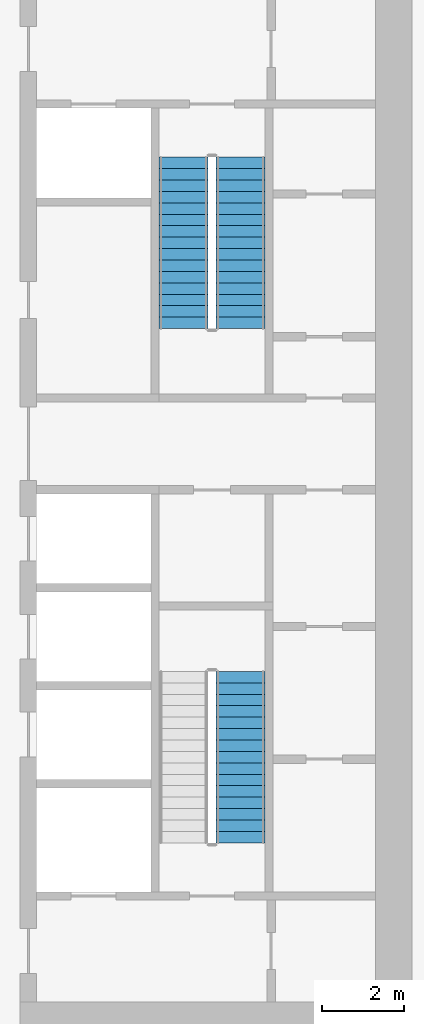
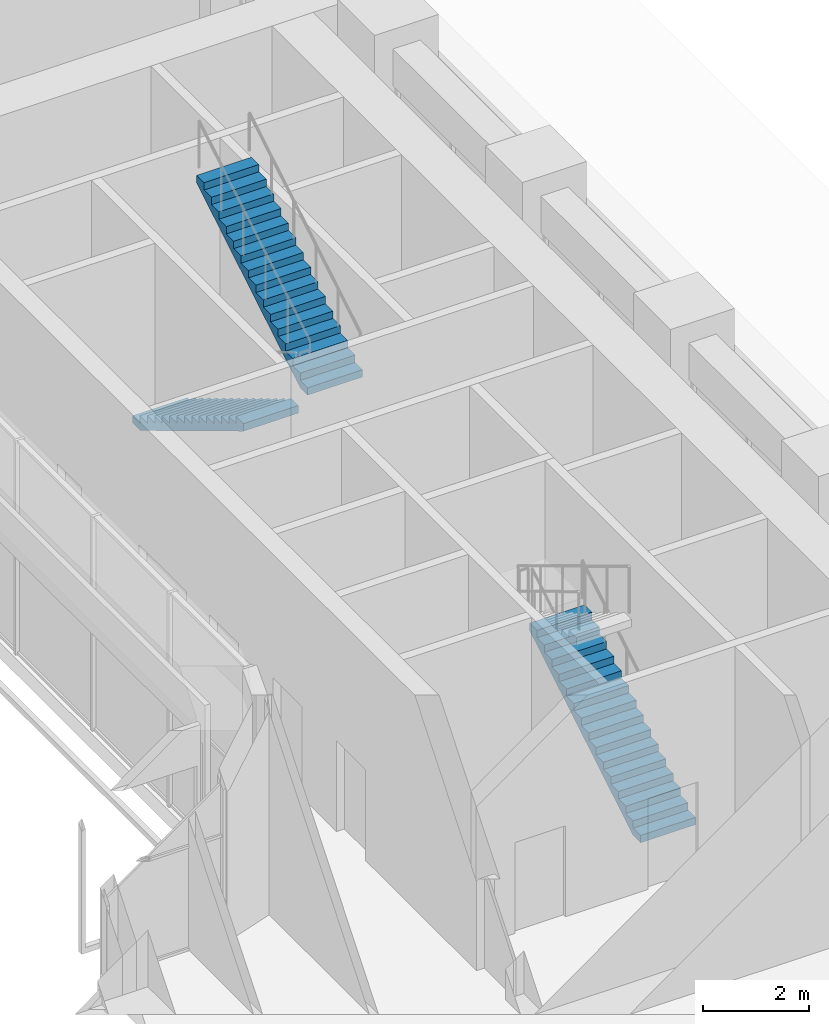
# One storey, part 18 of 27: 3 stair flights, 2 elements without a shape of their own.
"""IFC4 building model written with IfcOpenShell, lengths in metres."""

import ifcopenshell
import ifcopenshell.guid

model = None  # the IFC model being written
_history = None  # IfcOwnerHistory: only IFC2X3 demands one
_inside = {}  # id of a spatial element -> (the spatial element, [elements in it])
_under = {}  # id of a project, library or spatial element -> (it, [spatial elements below it])
_declared = {}  # id of a project -> (the project, [libraries it declares])
_typed = {}  # id of a type object -> (the type object, [elements of that type])
_made_of = {}  # id of a material, layer set ... -> (it, [elements and type objects made of it])


def new_model(schema):
    """Start an empty IFC model of exactly this schema.

    Asked for "IFC4X3", IfcOpenShell would pick the latest addendum, in which some entities
    have other attributes; the version numbers below select the first issue.
    IFC2X3 requires an IfcOwnerHistory on every rooted entity: one is made here for all.
    """
    global model, _history
    if schema == "IFC4X3":
        model = ifcopenshell.file(schema_version=(4, 3, 0, 0))
    else:
        model = ifcopenshell.file(schema=schema)
    _inside.clear()
    _under.clear()
    _declared.clear()
    _typed.clear()
    _made_of.clear()
    _history = None
    if model.schema == "IFC2X3":
        org = make("IfcOrganization", Name="unknown")
        user = make(
            "IfcPersonAndOrganization",
            ThePerson=make("IfcPerson", FamilyName="unknown"),
            TheOrganization=org,
        )
        app = make(
            "IfcApplication",
            ApplicationDeveloper=org,
            Version="unknown",
            ApplicationFullName="unknown",
            ApplicationIdentifier="unknown",
        )
        _history = make(
            "IfcOwnerHistory",
            OwningUser=user,
            OwningApplication=app,
            ChangeAction="ADDED",
            CreationDate=0,
        )
    return model


def make(cls, **values):
    """One entity of the class cls with the attributes given. An attribute that is None is left unset."""
    return model.create_entity(
        cls, **{name: value for name, value in values.items() if value is not None}
    )


def rooted(cls, **values):
    """An entity with a GlobalId (a new one), such as an element, a storey or a relation."""
    return make(cls, GlobalId=ifcopenshell.guid.new(), OwnerHistory=_history, **values)


def si_unit(unit_type, name, prefix=None):
    """IfcSIUnit, for example si_unit("LENGTHUNIT", "METRE", prefix="MILLI")."""
    return make("IfcSIUnit", UnitType=unit_type, Prefix=prefix, Name=name)


def assignment(units):
    """IfcUnitAssignment: the units of a project."""
    return None if units is None else make("IfcUnitAssignment", Units=units)


def point(xyz):
    """IfcCartesianPoint."""
    return None if xyz is None else make("IfcCartesianPoint", Coordinates=xyz)


def direction(xyz):
    """IfcDirection."""
    return None if xyz is None else make("IfcDirection", DirectionRatios=xyz)


def frame(location, z_axis=None, x_axis=None):
    """IfcAxis2Placement3D, a coordinate frame: its origin and axes. An axis left out is left unset."""
    return make(
        "IfcAxis2Placement3D",
        Location=point(location),
        Axis=direction(z_axis),
        RefDirection=direction(x_axis),
    )


def origin():
    """The frame at (0, 0, 0) with its axes left unset."""
    return frame((0.0, 0.0, 0.0))


def place(relative_to, where):
    """IfcLocalPlacement: puts the frame where relative to a parent placement (None: the world)."""
    return make(
        "IfcLocalPlacement", PlacementRelTo=relative_to, RelativePlacement=where
    )


def context(
    kind, dimensions, precision=None, world=None, true_north=None, identifier=None
):
    """IfcGeometricRepresentationContext, for example the 3D "Model" context."""
    return make(
        "IfcGeometricRepresentationContext",
        ContextIdentifier=identifier,
        ContextType=kind,
        CoordinateSpaceDimension=dimensions,
        Precision=precision,
        WorldCoordinateSystem=world,
        TrueNorth=true_north,
    )


def subcontext(parent, identifier, kind, view, scale=None):
    """IfcGeometricRepresentationSubContext, for example "Body" below "Model"."""
    return make(
        "IfcGeometricRepresentationSubContext",
        ContextIdentifier=identifier,
        ContextType=kind,
        ParentContext=parent,
        TargetScale=scale,
        TargetView=view,
    )


def project(units=None, contexts=None):
    """IfcProject with its units and contexts."""
    return rooted(
        "IfcProject",
        Name="project",
        RepresentationContexts=contexts,
        UnitsInContext=assignment(units),
    )


def spatial(cls, under=None, at=None, **own):
    """A site, building, storey or space (cls), placed at a placement, below another one or the project."""
    s = rooted(cls, ObjectPlacement=at, **own)
    if under is not None:
        _under.setdefault(under.id(), (under, []))[1].append(s)
    return s


def polyline(points):
    """IfcPolyline through the points."""
    return make("IfcPolyline", Points=[point(p) for p in points])


def outline(outer, holes=None, kind="AREA"):
    """IfcArbitraryClosedProfileDef: a profile drawn as a closed curve; with holes, ...WithVoids."""
    if holes is None:
        return make("IfcArbitraryClosedProfileDef", ProfileType=kind, OuterCurve=outer)
    return make(
        "IfcArbitraryProfileDefWithVoids",
        ProfileType=kind,
        OuterCurve=outer,
        InnerCurves=holes,
    )


def extrude(swept, where, along, depth):
    """IfcExtrudedAreaSolid: the profile swept, set in the frame where, extruded along a direction by depth."""
    return make(
        "IfcExtrudedAreaSolid",
        SweptArea=swept,
        Position=where,
        ExtrudedDirection=direction(along),
        Depth=depth,
    )


def shape(context_of_items, identifier, shape_type, items):
    """IfcShapeRepresentation: the items that make up one representation, for example the "Body"."""
    return make(
        "IfcShapeRepresentation",
        ContextOfItems=context_of_items,
        RepresentationIdentifier=identifier,
        RepresentationType=shape_type,
        Items=items,
    )


def material(Name=None, Category=None):
    """IfcMaterial."""
    return make("IfcMaterial", Name=Name, Category=Category)


def made_of(thing, what):
    """Note that an element or type object is made of a material, layer set ...; save() writes the relation."""
    if what is not None:
        _made_of.setdefault(what.id(), (what, []))[1].append(thing)
    return thing


def type_object(cls, material=None, **own):
    """A type object (cls), such as IfcWallType, which elements share."""
    return made_of(rooted(cls, **own), material)


def element(
    cls,
    number,
    at=None,
    inside=None,
    cuts=None,
    type_object=None,
    material=None,
    context=None,
    identifier="Body",
    shape_type=None,
    held_by="IfcProductDefinitionShape",
    body=None,
    shapes=None,
    **own,
):
    """One element of the class cls, such as IfcWall. Its Tag is "e" and its number.

    at: its placement. inside: the storey or other place that contains it. cuts: it is an
    opening in that element (IfcRelVoidsElement). A single representation is given by context,
    identifier, shape_type and body (its items); several are given by shapes. held_by: the class
    of the entity that holds the representations. save() writes the other relations.
    """
    e = rooted(cls, Tag="e%d" % number, ObjectPlacement=at, **own)
    if body is not None:
        shapes = [shape(context, identifier, shape_type, body)]
    if shapes is not None:
        e.Representation = make(held_by, Representations=shapes)
    if inside is not None:
        _inside.setdefault(inside.id(), (inside, []))[1].append(e)
    if cuts is not None:
        rooted(
            "IfcRelVoidsElement", RelatingBuildingElement=cuts, RelatedOpeningElement=e
        )
    if type_object is not None:
        _typed.setdefault(type_object.id(), (type_object, []))[1].append(e)
    return made_of(e, material)


def aggregate(whole, parts):
    """IfcRelAggregates: a whole, such as a stair, and the parts it consists of."""
    return rooted("IfcRelAggregates", RelatingObject=whole, RelatedObjects=parts)


def save(model, path):
    """Write the relations noted so far, then the file.

    IfcRelAggregates (storeys below a building ...), IfcRelContainedInSpatialStructure (elements
    in a storey), IfcRelDefinesByType, IfcRelAssociatesMaterial and IfcRelDeclares: one each for
    every whole, place, type object, material and project.
    """
    for whole, parts in _under.values():
        aggregate(whole, parts)
    for where, things in _inside.values():
        rooted(
            "IfcRelContainedInSpatialStructure",
            RelatedElements=things,
            RelatingStructure=where,
        )
    for kind, things in _typed.values():
        rooted("IfcRelDefinesByType", RelatedObjects=things, RelatingType=kind)
    for what, things in _made_of.values():
        rooted("IfcRelAssociatesMaterial", RelatedObjects=things, RelatingMaterial=what)
    for by, libraries in _declared.values():
        rooted("IfcRelDeclares", RelatingContext=by, RelatedDefinitions=libraries)
    model.write(path)


model = new_model("IFC4")

# Units and contexts
model_context = context("Model", 3, precision=1e-05, world=origin(), true_north=direction((0.0, 1.0)))
body_context = subcontext(model_context, "Body", "Model", "MODEL_VIEW")
ifc_project = project(units=[si_unit("LENGTHUNIT", "METRE"), si_unit("AREAUNIT", "SQUARE_METRE"), si_unit("VOLUMEUNIT", "CUBIC_METRE"), si_unit("PLANEANGLEUNIT", "RADIAN"), si_unit("MASSUNIT", "GRAM", prefix="KILO")], contexts=[model_context])

# Site, building, storey
site_placement = place(None, origin())
site = spatial("IfcSite", under=ifc_project, at=site_placement, CompositionType="ELEMENT")
building_placement = place(site_placement, origin())
building = spatial("IfcBuilding", under=site, at=building_placement, Name="Kiln Ring Residences", CompositionType="ELEMENT")
storey_placement = place(building_placement, frame((0.0, 0.0, 72.5)))
storey = spatial("IfcBuildingStorey", under=building, at=storey_placement, Name="L18", CompositionType="ELEMENT", Elevation=72.5)

# Stair, stair flights
ifc_material_1 = material(Name="Concrete C40/50", Category="concrete")
stair_type = type_object("IfcStairType", Name="CORE-STAIR", PredefinedType="HALF_TURN_STAIR", material=ifc_material_1)
placement = place(storey_placement, origin())
stair_1 = element("IfcStair", 1, at=placement, inside=storey, type_object=stair_type, Name="L18 stair E-STN", PredefinedType="HALF_TURN_STAIR")
ifc_material_2 = material(Name="Concrete C40/50", Category="concrete")
stair_flight_type = type_object("IfcStairFlightType", Name="CORE-STAIR-FLIGHT", PredefinedType="STRAIGHT", material=ifc_material_2)
stair_flight_1_placement = place(storey_placement, frame((21.39990234375, 8.39990234375, 0.0), z_axis=(0.0, 0.0, 1.0), x_axis=(0.0, -1.0, 0.0)))
stair_flight_1 = element("IfcStairFlight", 2, at=stair_flight_1_placement, type_object=stair_flight_type, Name="E-STN flight 1", NumberOfRisers=16, NumberOfTreads=15, PredefinedType="STRAIGHT", RiserHeight=0.16875, TreadLength=0.28, context=body_context, shape_type="SweptSolid", body=[
    extrude(outline(polyline([(0.0, 0.0), (0.0, 0.168701171875), (0.280029296875, 0.168701171875), (0.280029296875, 0.33740234375), (0.56005859375, 0.33740234375), (0.56005859375, 0.50634765625), (0.840087890625, 0.50634765625), (0.840087890625, 0.675048828125), (1.1201171875, 0.675048828125), (1.1201171875, 0.84375), (1.39990234375, 0.84375), (1.39990234375, 1.012451171875), (1.679931640625, 1.012451171875), (1.679931640625, 1.18115234375), (1.9599609375, 1.18115234375), (1.9599609375, 1.35009765625), (2.239990234375, 1.35009765625), (2.239990234375, 1.518798828125), (2.52001953125, 1.518798828125), (2.52001953125, 1.6875), (2.800048828125, 1.6875), (2.800048828125, 1.856201171875), (3.080078125, 1.856201171875), (3.080078125, 2.02490234375), (3.360107421875, 2.02490234375), (3.360107421875, 2.19384765625), (3.639892578125, 2.19384765625), (3.639892578125, 2.362548828125), (3.919921875, 2.362548828125), (3.919921875, 2.53125), (4.199951171875, 2.53125), (4.199951171875, 2.699951171875), (4.199951171875, 2.356201171875), (0.29052734375, 0.0), (0.0, 0.0)])), frame((0.0, 0.60009765625, 0.0), z_axis=(0.0, -1.0, 0.0), x_axis=(1.0, 0.0, 0.0)), (0.0, 0.0, 1.0), 1.199951171875),
])
stair_flight_2_placement = place(storey_placement, frame((22.800048828125, 4.199951171875, 2.699951171875), z_axis=(0.0, 0.0, 1.0), x_axis=(0.0, 1.0, 0.0)))
stair_flight_2 = element("IfcStairFlight", 3, at=stair_flight_2_placement, type_object=stair_flight_type, Name="E-STN flight 2", NumberOfRisers=16, NumberOfTreads=15, PredefinedType="STRAIGHT", RiserHeight=0.16875, TreadLength=0.28, context=body_context, shape_type="SweptSolid", body=[
    extrude(outline(polyline([(0.0, 0.0), (0.0, 0.168701171875), (0.280029296875, 0.168701171875), (0.280029296875, 0.33740234375), (0.56005859375, 0.33740234375), (0.56005859375, 0.50634765625), (0.840087890625, 0.50634765625), (0.840087890625, 0.675048828125), (1.1201171875, 0.675048828125), (1.1201171875, 0.84375), (1.39990234375, 0.84375), (1.39990234375, 1.012451171875), (1.679931640625, 1.012451171875), (1.679931640625, 1.18115234375), (1.9599609375, 1.18115234375), (1.9599609375, 1.35009765625), (2.239990234375, 1.35009765625), (2.239990234375, 1.518798828125), (2.52001953125, 1.518798828125), (2.52001953125, 1.6875), (2.800048828125, 1.6875), (2.800048828125, 1.856201171875), (3.080078125, 1.856201171875), (3.080078125, 2.02490234375), (3.360107421875, 2.02490234375), (3.360107421875, 2.19384765625), (3.639892578125, 2.19384765625), (3.639892578125, 2.362548828125), (3.919921875, 2.362548828125), (3.919921875, 2.53125), (4.199951171875, 2.53125), (4.199951171875, 2.699951171875), (4.199951171875, 2.356201171875), (0.29052734375, 0.0), (0.0, 0.0)])), frame((0.0, 0.60009765625, 0.0), z_axis=(0.0, -1.0, 0.0), x_axis=(1.0, 0.0, 0.0)), (0.0, 0.0, 1.0), 1.199951171875),
])
aggregate(stair_1, [stair_flight_1, stair_flight_2])

# Stair, stair flight
stair_2 = element("IfcStair", 4, at=placement, inside=storey, type_object=stair_type, Name="L18 stair E-STS", PredefinedType="HALF_TURN_STAIR")
stair_flight_3_placement = place(storey_placement, frame((22.800048828125, -8.39990234375, 0.0), z_axis=(0.0, 0.0, 1.0), x_axis=(0.0, 1.0, 0.0)))
stair_flight_3 = element("IfcStairFlight", 5, at=stair_flight_3_placement, type_object=stair_flight_type, Name="E-STS flight 1", NumberOfRisers=16, NumberOfTreads=15, PredefinedType="STRAIGHT", RiserHeight=0.16875, TreadLength=0.28, context=body_context, shape_type="SweptSolid", body=[
    extrude(outline(polyline([(0.0, 0.0), (0.0, 0.168701171875), (0.280029296875, 0.168701171875), (0.280029296875, 0.33740234375), (0.56005859375, 0.33740234375), (0.56005859375, 0.50634765625), (0.840087890625, 0.50634765625), (0.840087890625, 0.675048828125), (1.1201171875, 0.675048828125), (1.1201171875, 0.84375), (1.39990234375, 0.84375), (1.39990234375, 1.012451171875), (1.679931640625, 1.012451171875), (1.679931640625, 1.18115234375), (1.9599609375, 1.18115234375), (1.9599609375, 1.35009765625), (2.239990234375, 1.35009765625), (2.239990234375, 1.518798828125), (2.52001953125, 1.518798828125), (2.52001953125, 1.6875), (2.800048828125, 1.6875), (2.800048828125, 1.856201171875), (3.080078125, 1.856201171875), (3.080078125, 2.02490234375), (3.360107421875, 2.02490234375), (3.360107421875, 2.19384765625), (3.639892578125, 2.19384765625), (3.639892578125, 2.362548828125), (3.919921875, 2.362548828125), (3.919921875, 2.53125), (4.199951171875, 2.53125), (4.199951171875, 2.699951171875), (4.199951171875, 2.356201171875), (0.29052734375, 0.0), (0.0, 0.0)])), frame((0.0, 0.60009765625, 0.0), z_axis=(0.0, -1.0, 0.0), x_axis=(1.0, 0.0, 0.0)), (0.0, 0.0, 1.0), 1.199951171875),
])
aggregate(stair_2, [stair_flight_3])

save(model, "model.ifc")
